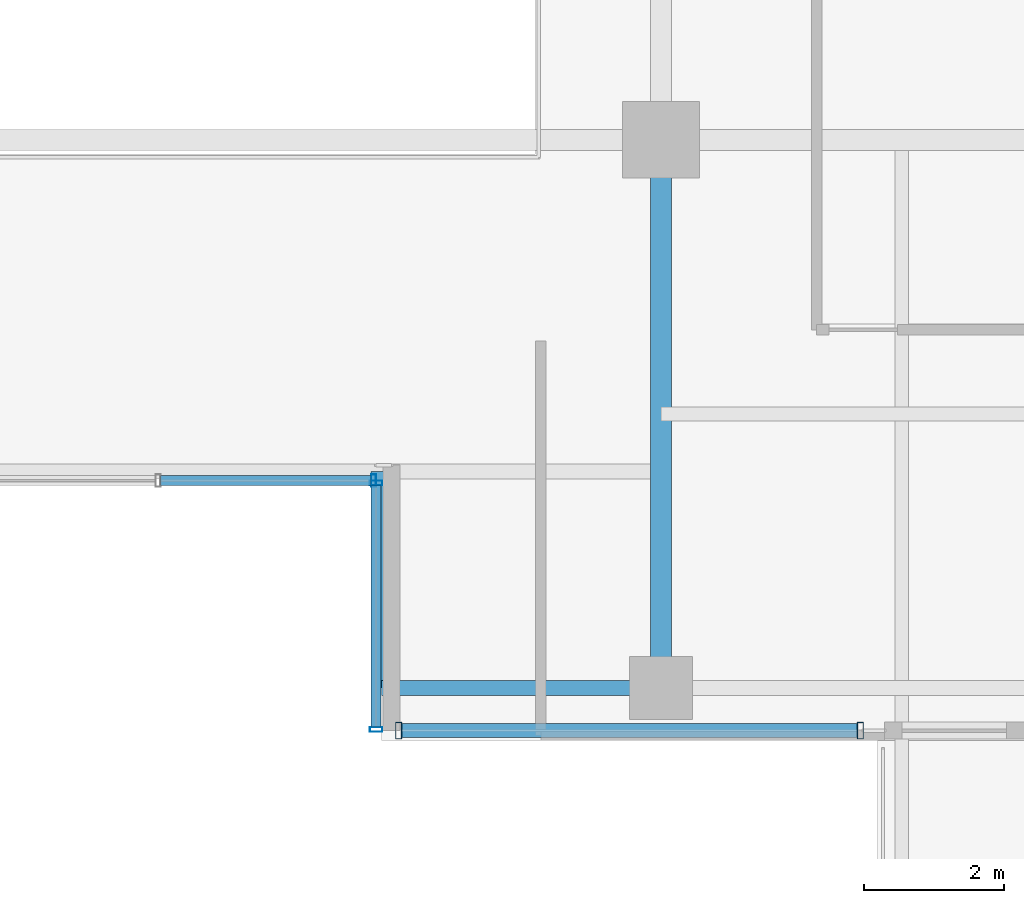
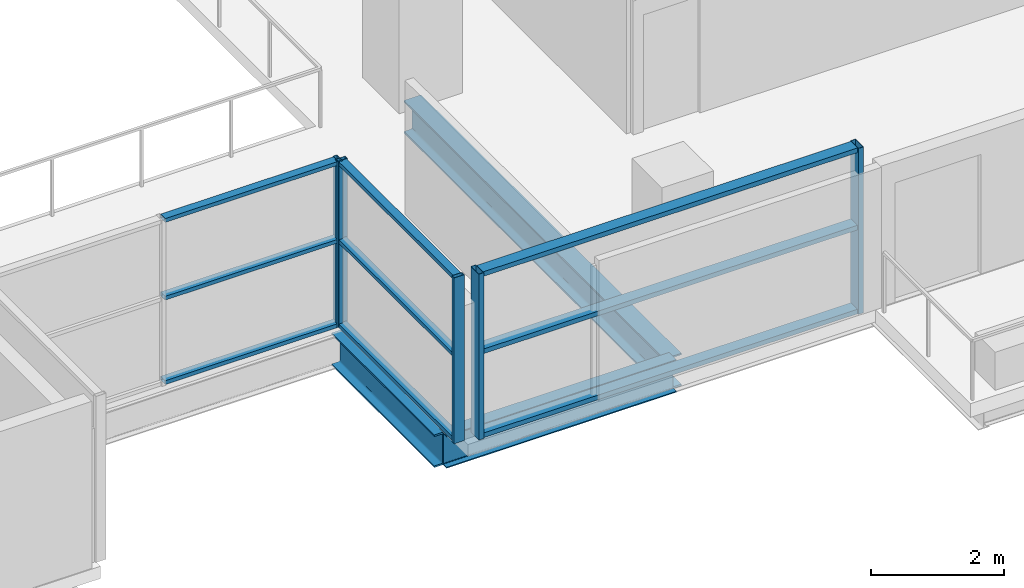
# One storey, part 9 of 31: 14 members, 3 beams, 3 elements without a shape of their own.
"""IFC4 building model written with IfcOpenShell, lengths in metres."""

from ifc_helpers import new_model, si_unit, direction, frame, origin, origin_2d, place, context, subcontext, project, spatial, hollow_rectangle, i_section, extrude, source, transform, mapped, material, layer, layer_set, material_profile, profile_set, type_object, element, aggregate, save


model = new_model("IFC4")

# Units and contexts
model_context = context("Model", 3, precision=1e-05, world=origin(), true_north=direction((0.0, 1.0)))
body_context = subcontext(model_context, "Body", "Model", "MODEL_VIEW")
ifc_project = project(units=[si_unit("LENGTHUNIT", "METRE"), si_unit("AREAUNIT", "SQUARE_METRE"), si_unit("VOLUMEUNIT", "CUBIC_METRE"), si_unit("PLANEANGLEUNIT", "RADIAN"), si_unit("MASSUNIT", "GRAM", prefix="KILO")], contexts=[model_context])

# Site, building, storey
site_placement = place(None, origin())
site = spatial("IfcSite", under=ifc_project, at=site_placement, CompositionType="ELEMENT")
building_placement = place(site_placement, origin())
building = spatial("IfcBuilding", under=site, at=building_placement, Name="Zarnakvel Exchange Tower", CompositionType="ELEMENT")
storey_placement = place(building_placement, frame((0.0, 0.0, 53.800048828125)))
storey = spatial("IfcBuildingStorey", under=building, at=storey_placement, Name="L14", CompositionType="ELEMENT", Elevation=53.800048828125)

# Beams
ifc_material_1 = material(Name="Steel S355", Category="steel")
ifc_material_profile_1 = material_profile(ifc_material_1, i_section(OverallWidth=0.300048828125, OverallDepth=0.60009765625, WebThickness=0.015380859375, FlangeThickness=0.030029296875, FilletRadius=0.027099609375, at=origin_2d()))
ifc_profile_set_1 = profile_set([ifc_material_profile_1], Name="Steel S355")
beam_type_1 = type_object("IfcBeamType", Name="G-04", PredefinedType="BEAM", material=ifc_profile_set_1)
beam_1_placement = place(storey_placement, frame((3.199951171875, -17.449951171875, -0.525146484375), z_axis=(0.0, 1.0, 0.0), x_axis=(-1.0, 0.0, 0.0)))
element("IfcBeam", 1, at=beam_1_placement, inside=storey, type_object=beam_type_1, Name="L14 South Slot East Cheek Beam", PredefinedType="BEAM", context=body_context, shape_type="SweptSolid", body=[
    extrude(i_section(OverallWidth=0.300048828125, OverallDepth=0.60009765625, WebThickness=0.015380859375, FlangeThickness=0.030029296875, FilletRadius=0.027099609375, at=origin_2d()), origin(), (0.0, 0.0, 1.0), 3.099853515625),
])
beam_2_placement = place(storey_placement, frame((7.199951171875, -17.449951171875, -0.525146484375), z_axis=(0.0, 1.0, 0.0), x_axis=(-1.0, 0.0, 0.0)))
element("IfcBeam", 2, at=beam_2_placement, inside=storey, type_object=beam_type_1, Name="L14 Tower N-S Frame Beam", PredefinedType="BEAM", context=body_context, shape_type="SweptSolid", body=[
    extrude(i_section(OverallWidth=0.300048828125, OverallDepth=0.60009765625, WebThickness=0.015380859375, FlangeThickness=0.030029296875, FilletRadius=0.027099609375, at=origin_2d()), origin(), (0.0, 0.0, 1.0), 7.849853515625),
])
ifc_material_profile_2 = material_profile(ifc_material_1, i_section(OverallWidth=0.219970703125, OverallDepth=0.60009765625, WebThickness=0.011962890625, FlangeThickness=0.01904296875, FilletRadius=0.02392578125, at=origin_2d()))
ifc_profile_set_2 = profile_set([ifc_material_profile_2], Name="Steel S355")
beam_type_2 = type_object("IfcBeamType", Name="SP-01", PredefinedType="SPANDREL", material=ifc_profile_set_2)
beam_3_placement = place(storey_placement, frame((3.199951171875, -17.449951171875, -0.525146484375), z_axis=(1.0, 0.0, 0.0), x_axis=(0.0, 1.0, 0.0)))
element("IfcBeam", 3, at=beam_3_placement, inside=storey, type_object=beam_type_2, Name="L14 South Slot East Jamb Spandrel", PredefinedType="SPANDREL", context=body_context, shape_type="SweptSolid", body=[
    extrude(i_section(OverallWidth=0.219970703125, OverallDepth=0.60009765625, WebThickness=0.011962890625, FlangeThickness=0.01904296875, FilletRadius=0.02392578125, at=origin_2d()), origin(), (0.0, 0.0, 1.0), 4.0),
])

# Curtain wall, members
ifc_material_2 = material(Name="Architectural Bronze Anodised Aluminium", Category="aluminium")
ifc_layer_1 = layer(ifc_material_2, 0.179931640625)
ifc_layer_set_1 = layer_set([ifc_layer_1], Name="Architectural Bronze Anodised Aluminium")
curtain_wall_type_1 = type_object("IfcCurtainWallType", Name="CW-05", PredefinedType="NOTDEFINED", material=ifc_layer_set_1)
curtain_wall_1_placement = place(storey_placement, origin())
curtain_wall_1 = element("IfcCurtainWall", 4, at=curtain_wall_1_placement, inside=storey, type_object=curtain_wall_type_1, Name="L14 Curtain Wall CW-L14-SLE (CW-05)", PredefinedType="NOTDEFINED")
ifc_material_profile_3 = material_profile(ifc_material_2, hollow_rectangle(XDim=0.139892578125, YDim=0.070068359375, WallThickness=0.00390625, at=origin_2d()))
ifc_profile_set_3 = profile_set([ifc_material_profile_3], Name="Architectural Bronze Anodised Aluminium")
member_type_1 = type_object("IfcMemberType", Name="CWT-05", PredefinedType="USERDEFINED", material=ifc_profile_set_3)
shared_shape_1 = source(origin(), body_context, "Body", "SweptSolid", [
    extrude(hollow_rectangle(XDim=0.139892578125, YDim=0.070068359375, WallThickness=0.00390625, at=origin_2d()), origin(), (0.0, 0.0, 1.0), 3.4599609375),
])
member_1_placement = place(storey_placement, frame((3.1201171875, -14.550048828125, 0.034912109375), z_axis=(0.0, -1.0, 0.0), x_axis=(1.0, 0.0, 0.0)))
member_1 = element("IfcMember", 5, at=member_1_placement, type_object=member_type_1, Name="CW-05 transom 1.1", ObjectType="TRANSOM", PredefinedType="USERDEFINED", context=body_context, shape_type="MappedRepresentation", body=[
    mapped(shared_shape_1, transform((0.0, 0.0, 0.0), x_axis=(1.0, 0.0, 0.0), y_axis=(0.0, 1.0, 0.0), z_axis=(0.0, 0.0, 1.0), scale=1.0)),
])
member_2_placement = place(storey_placement, frame((3.1201171875, -14.550048828125, 1.588623046875), z_axis=(0.0, -1.0, 0.0), x_axis=(1.0, 0.0, 0.0)))
member_2 = element("IfcMember", 6, at=member_2_placement, type_object=member_type_1, Name="CW-05 transom 1.2", ObjectType="TRANSOM", PredefinedType="USERDEFINED", context=body_context, shape_type="MappedRepresentation", body=[
    mapped(shared_shape_1, transform((0.0, 0.0, 0.0), x_axis=(1.0, 0.0, 0.0), y_axis=(0.0, 1.0, 0.0), z_axis=(0.0, 0.0, 1.0), scale=1.0)),
])
member_3_placement = place(storey_placement, frame((3.1201171875, -14.550048828125, 3.02001953125), z_axis=(0.0, -1.0, 0.0), x_axis=(1.0, 0.0, 0.0)))
member_3 = element("IfcMember", 7, at=member_3_placement, type_object=member_type_1, Name="CW-05 transom 1.3", ObjectType="TRANSOM", PredefinedType="USERDEFINED", context=body_context, shape_type="MappedRepresentation", body=[
    mapped(shared_shape_1, transform((0.0, 0.0, 0.0), x_axis=(1.0, 0.0, 0.0), y_axis=(0.0, 1.0, 0.0), z_axis=(0.0, 0.0, 1.0), scale=1.0)),
])

curtain_wall_2_placement = place(storey_placement, origin())
curtain_wall_2 = element("IfcCurtainWall", 8, at=curtain_wall_2_placement, inside=storey, type_object=curtain_wall_type_1, Name="L14 Curtain Wall CW-L14-SLB (CW-05)", PredefinedType="NOTDEFINED")
shared_shape_2 = source(origin(), body_context, "Body", "SweptSolid", [
    extrude(hollow_rectangle(XDim=0.139892578125, YDim=0.070068359375, WallThickness=0.00390625, at=origin_2d()), origin(), (0.0, 0.0, 1.0), 3.01513671875),
])
member_4_placement = place(storey_placement, frame((0.034912109375, -14.47998046875, 0.034912109375), z_axis=(1.0, 0.0, 0.0), x_axis=(0.0, 1.0, 0.0)))
member_4 = element("IfcMember", 9, at=member_4_placement, type_object=member_type_1, Name="CW-05 transom 2.1", ObjectType="TRANSOM", PredefinedType="USERDEFINED", context=body_context, shape_type="MappedRepresentation", body=[
    mapped(shared_shape_2, transform((0.0, 0.0, 0.0), x_axis=(1.0, 0.0, 0.0), y_axis=(0.0, 1.0, 0.0), z_axis=(0.0, 0.0, 1.0), scale=1.0)),
])
member_5_placement = place(storey_placement, frame((0.034912109375, -14.47998046875, 1.588623046875), z_axis=(1.0, 0.0, 0.0), x_axis=(0.0, 1.0, 0.0)))
member_5 = element("IfcMember", 10, at=member_5_placement, type_object=member_type_1, Name="CW-05 transom 2.2", ObjectType="TRANSOM", PredefinedType="USERDEFINED", context=body_context, shape_type="MappedRepresentation", body=[
    mapped(shared_shape_2, transform((0.0, 0.0, 0.0), x_axis=(1.0, 0.0, 0.0), y_axis=(0.0, 1.0, 0.0), z_axis=(0.0, 0.0, 1.0), scale=1.0)),
])
member_6_placement = place(storey_placement, frame((0.034912109375, -14.47998046875, 3.02001953125), z_axis=(1.0, 0.0, 0.0), x_axis=(0.0, 1.0, 0.0)))
member_6 = element("IfcMember", 11, at=member_6_placement, type_object=member_type_1, Name="CW-05 transom 2.3", ObjectType="TRANSOM", PredefinedType="USERDEFINED", context=body_context, shape_type="MappedRepresentation", body=[
    mapped(shared_shape_2, transform((0.0, 0.0, 0.0), x_axis=(1.0, 0.0, 0.0), y_axis=(0.0, 1.0, 0.0), z_axis=(0.0, 0.0, 1.0), scale=1.0)),
])

ifc_layer_2 = layer(ifc_material_2, 0.239990234375)
ifc_layer_set_2 = layer_set([ifc_layer_2], Name="Architectural Bronze Anodised Aluminium")
curtain_wall_type_2 = type_object("IfcCurtainWallType", Name="CW-02", PredefinedType="NOTDEFINED", material=ifc_layer_set_2)
curtain_wall_3_placement = place(storey_placement, origin())
curtain_wall_3 = element("IfcCurtainWall", 12, at=curtain_wall_3_placement, inside=storey, type_object=curtain_wall_type_2, Name="L14 Curtain Wall CW-L14-SE (CW-02)", PredefinedType="NOTDEFINED")
ifc_material_profile_4 = material_profile(ifc_material_2, hollow_rectangle(XDim=0.199951171875, YDim=0.0849609375, WallThickness=0.0048828125, at=origin_2d()))
ifc_profile_set_4 = profile_set([ifc_material_profile_4], Name="Architectural Bronze Anodised Aluminium")
member_type_2 = type_object("IfcMemberType", Name="CWT-02", PredefinedType="USERDEFINED", material=ifc_profile_set_4)
shared_shape_3 = source(origin(), body_context, "Body", "SweptSolid", [
    extrude(hollow_rectangle(XDim=0.199951171875, YDim=0.0849609375, WallThickness=0.0048828125, at=origin_2d()), origin(), (0.0, 0.0, 1.0), 6.52001953125),
])
member_7_placement = place(storey_placement, frame((3.489990234375, -18.06005859375, 0.04248046875), z_axis=(1.0, 0.0, 0.0), x_axis=(0.0, 1.0, 0.0)))
member_7 = element("IfcMember", 13, at=member_7_placement, type_object=member_type_2, Name="CW-02 transom 1.1", ObjectType="TRANSOM", PredefinedType="USERDEFINED", context=body_context, shape_type="MappedRepresentation", body=[
    mapped(shared_shape_3, transform((0.0, 0.0, 0.0), x_axis=(1.0, 0.0, 0.0), y_axis=(0.0, 1.0, 0.0), z_axis=(0.0, 0.0, 1.0), scale=1.0)),
])
member_8_placement = place(storey_placement, frame((3.489990234375, -18.06005859375, 1.588623046875), z_axis=(1.0, 0.0, 0.0), x_axis=(0.0, 1.0, 0.0)))
member_8 = element("IfcMember", 14, at=member_8_placement, type_object=member_type_2, Name="CW-02 transom 1.2", ObjectType="TRANSOM", PredefinedType="USERDEFINED", context=body_context, shape_type="MappedRepresentation", body=[
    mapped(shared_shape_3, transform((0.0, 0.0, 0.0), x_axis=(1.0, 0.0, 0.0), y_axis=(0.0, 1.0, 0.0), z_axis=(0.0, 0.0, 1.0), scale=1.0)),
])
member_9_placement = place(storey_placement, frame((3.489990234375, -18.06005859375, 3.012451171875), z_axis=(1.0, 0.0, 0.0), x_axis=(0.0, 1.0, 0.0)))
member_9 = element("IfcMember", 15, at=member_9_placement, type_object=member_type_2, Name="CW-02 transom 1.3", ObjectType="TRANSOM", PredefinedType="USERDEFINED", context=body_context, shape_type="MappedRepresentation", body=[
    mapped(shared_shape_3, transform((0.0, 0.0, 0.0), x_axis=(1.0, 0.0, 0.0), y_axis=(0.0, 1.0, 0.0), z_axis=(0.0, 0.0, 1.0), scale=1.0)),
])

# Member
ifc_material_profile_5 = material_profile(ifc_material_2, hollow_rectangle(XDim=0.179931640625, YDim=0.070068359375, WallThickness=0.00390625, at=origin_2d()))
ifc_profile_set_5 = profile_set([ifc_material_profile_5], Name="Architectural Bronze Anodised Aluminium")
member_type_3 = type_object("IfcMemberType", Name="CWM-05", PredefinedType="MULLION", material=ifc_profile_set_5)
shared_shape_4 = source(origin(), body_context, "Body", "SweptSolid", [
    extrude(hollow_rectangle(XDim=0.179931640625, YDim=0.070068359375, WallThickness=0.00390625, at=origin_2d()), origin(), (0.0, 0.0, 1.0), 3.054931640625),
])
member_10_placement = place(storey_placement, frame((3.0849609375, -14.47998046875, 0.0), z_axis=(0.0, 0.0, 1.0), x_axis=(0.0, 1.0, 0.0)))
member_10 = element("IfcMember", 16, at=member_10_placement, type_object=member_type_3, Name="CW-05 mullion 3", PredefinedType="MULLION", context=body_context, shape_type="MappedRepresentation", body=[
    mapped(shared_shape_4, transform((0.0, 0.0, 0.0), x_axis=(1.0, 0.0, 0.0), y_axis=(0.0, 1.0, 0.0), z_axis=(0.0, 0.0, 1.0), scale=1.0)),
])

aggregate(curtain_wall_2, [member_10, member_4, member_5, member_6])

member_11_placement = place(storey_placement, frame((3.1201171875, -14.514892578125, 0.0), z_axis=(0.0, 0.0, 1.0), x_axis=(1.0, 0.0, 0.0)))
member_11 = element("IfcMember", 17, at=member_11_placement, type_object=member_type_3, Name="CW-05 mullion 1", PredefinedType="MULLION", context=body_context, shape_type="MappedRepresentation", body=[
    mapped(shared_shape_4, transform((0.0, 0.0, 0.0), x_axis=(1.0, 0.0, 0.0), y_axis=(0.0, 1.0, 0.0), z_axis=(0.0, 0.0, 1.0), scale=1.0)),
])

member_12_placement = place(storey_placement, frame((3.1201171875, -18.044921875, 0.0), z_axis=(0.0, 0.0, 1.0), x_axis=(1.0, 0.0, 0.0)))
member_12 = element("IfcMember", 18, at=member_12_placement, type_object=member_type_3, Name="CW-05 mullion 2", PredefinedType="MULLION", context=body_context, shape_type="MappedRepresentation", body=[
    mapped(shared_shape_4, transform((0.0, 0.0, 0.0), x_axis=(1.0, 0.0, 0.0), y_axis=(0.0, 1.0, 0.0), z_axis=(0.0, 0.0, 1.0), scale=1.0)),
])

aggregate(curtain_wall_1, [member_11, member_12, member_1, member_2, member_3])

ifc_material_profile_6 = material_profile(ifc_material_2, hollow_rectangle(XDim=0.239990234375, YDim=0.090087890625, WallThickness=0.006103515625, at=origin_2d()))
ifc_profile_set_6 = profile_set([ifc_material_profile_6], Name="Architectural Bronze Anodised Aluminium")
member_type_4 = type_object("IfcMemberType", Name="CWM-02", PredefinedType="MULLION", material=ifc_profile_set_6)
shared_shape_5 = source(origin(), body_context, "Body", "SweptSolid", [
    extrude(hollow_rectangle(XDim=0.239990234375, YDim=0.090087890625, WallThickness=0.006103515625, at=origin_2d()), origin(), (0.0, 0.0, 1.0), 3.054931640625),
])
member_13_placement = place(storey_placement, frame((3.445068359375, -18.06005859375, 0.0), z_axis=(0.0, 0.0, 1.0), x_axis=(0.0, 1.0, 0.0)))
member_13 = element("IfcMember", 19, at=member_13_placement, type_object=member_type_4, Name="CW-02 mullion 1", PredefinedType="MULLION", context=body_context, shape_type="MappedRepresentation", body=[
    mapped(shared_shape_5, transform((0.0, 0.0, 0.0), x_axis=(1.0, 0.0, 0.0), y_axis=(0.0, 1.0, 0.0), z_axis=(0.0, 0.0, 1.0), scale=1.0)),
])

member_14_placement = place(storey_placement, frame((10.054931640625, -18.06005859375, 0.0), z_axis=(0.0, 0.0, 1.0), x_axis=(0.0, 1.0, 0.0)))
member_14 = element("IfcMember", 20, at=member_14_placement, type_object=member_type_4, Name="CW-02 mullion 2", PredefinedType="MULLION", context=body_context, shape_type="MappedRepresentation", body=[
    mapped(shared_shape_5, transform((0.0, 0.0, 0.0), x_axis=(1.0, 0.0, 0.0), y_axis=(0.0, 1.0, 0.0), z_axis=(0.0, 0.0, 1.0), scale=1.0)),
])

aggregate(curtain_wall_3, [member_13, member_14, member_7, member_8, member_9])

save(model, "model.ifc")
